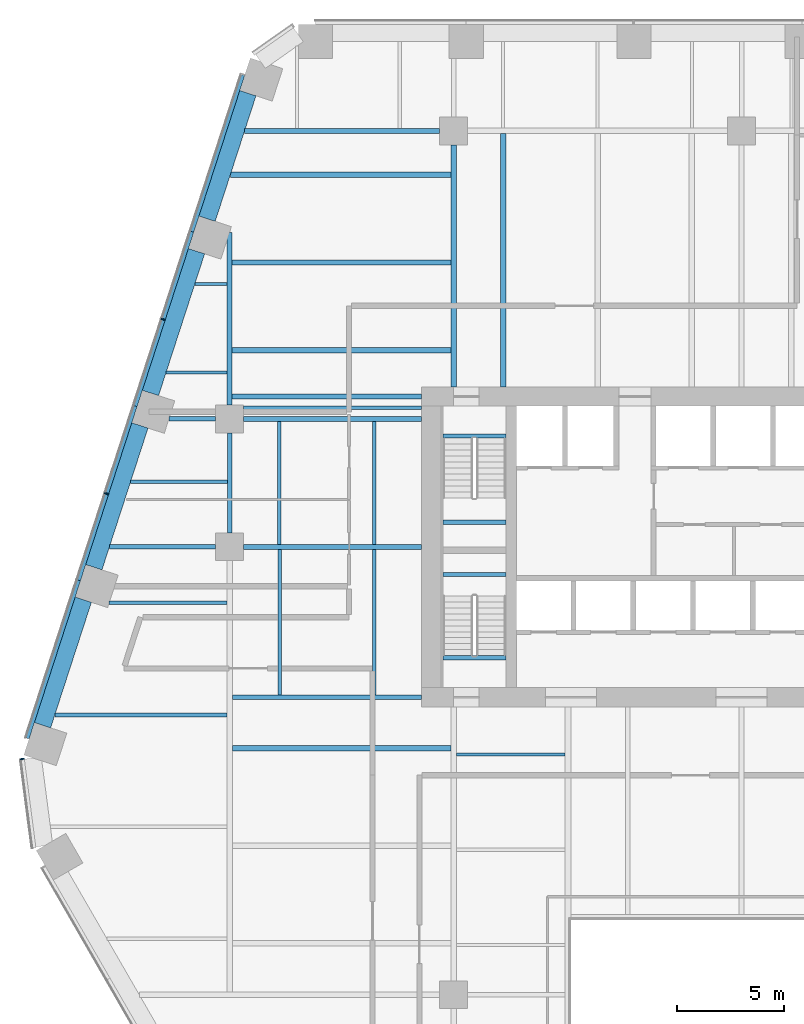
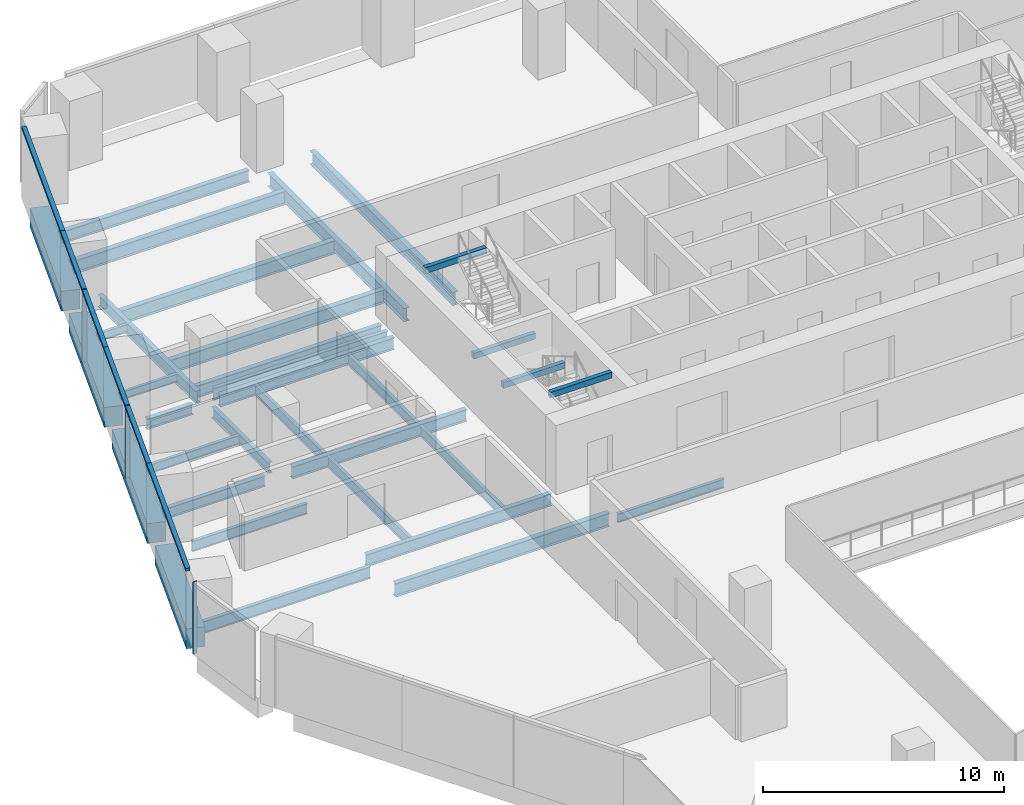
# One storey, part 8 of 19: 34 beams, 9 members, 2 elements without a shape of their own.
"""IFC4 building model written with IfcOpenShell, lengths in metres."""

from ifc_helpers import new_model, si_unit, direction, frame, origin, origin_2d, place, context, subcontext, project, spatial, rectangle, i_section, extrude, material, layer, layer_set, material_profile, profile_set, type_object, element, aggregate, save


model = new_model("IFC4")

# Units and contexts
model_context = context("Model", 3, precision=1e-05, world=origin(), true_north=direction((0.0, 1.0)))
body_context = subcontext(model_context, "Body", "Model", "MODEL_VIEW")
ifc_project = project(units=[si_unit("LENGTHUNIT", "METRE"), si_unit("AREAUNIT", "SQUARE_METRE"), si_unit("VOLUMEUNIT", "CUBIC_METRE"), si_unit("PLANEANGLEUNIT", "RADIAN"), si_unit("MASSUNIT", "GRAM", prefix="KILO")], contexts=[model_context])

# Site, building, storey
site_placement = place(None, origin())
site = spatial("IfcSite", under=ifc_project, at=site_placement, CompositionType="ELEMENT")
building_placement = place(site_placement, origin())
building = spatial("IfcBuilding", under=site, at=building_placement, Name="Isthmus Gate Tower", CompositionType="ELEMENT")
storey_placement = place(building_placement, frame((0.0, 0.0, 87.949951171875)))
storey = spatial("IfcBuildingStorey", under=building, at=storey_placement, Name="L20", CompositionType="ELEMENT", Elevation=87.949951171875)

# Curtain wall, members
ifc_material_1 = material(Name="Aluminium, pale champagne anodised", Category="aluminium")
ifc_layer = layer(ifc_material_1, 0.199951171875)
ifc_layer_set = layer_set([ifc_layer], Name="CW-1 UNITISED CURTAIN WALL 200 DEEP")
curtain_wall_type = type_object("IfcCurtainWallType", Name="CW-1 UNITISED CURTAIN WALL 200 DEEP", PredefinedType="NOTDEFINED", material=ifc_layer_set)
curtain_wall_1_placement = place(storey_placement, origin())
curtain_wall_1 = element("IfcCurtainWall", 1, at=curtain_wall_1_placement, inside=storey, type_object=curtain_wall_type, Name="CW-1 NW L20", PredefinedType="NOTDEFINED")
ifc_material_2 = material(Name="Aluminium, pale champagne anodised", Category="aluminium")
ifc_material_profile_1 = material_profile(ifc_material_2, rectangle(XDim=0.06005859375, YDim=0.199951171875, at=origin_2d()), Name="60x200")
ifc_profile_set_1 = profile_set([ifc_material_profile_1], Name="Aluminium, pale champagne anodised")
member_type_1 = type_object("IfcMemberType", Name="CW-1 MULLION 60 X 200", PredefinedType="MULLION", material=ifc_profile_set_1)
member_1_placement = place(storey_placement, frame((-27.11474609375, 18.163818359375, 0.0), z_axis=(0.0, 0.0, 1.0), x_axis=(-0.309016994375, -0.951056516295, 0.0)))
member_1 = element("IfcMember", 2, at=member_1_placement, type_object=member_type_1, Name="CW-1 mullion", PredefinedType="MULLION", context=body_context, shape_type="SweptSolid", body=[
    extrude(rectangle(XDim=0.06005859375, YDim=0.199951171875, at=origin_2d()), origin(), (0.0, 0.0, 1.0), 3.650146484375),
])
member_2_placement = place(storey_placement, frame((-29.76904296875, 9.994873046875, 0.0), z_axis=(0.0, 0.0, 1.0), x_axis=(-0.309016994375, -0.951056516295, 0.0)))
member_2 = element("IfcMember", 3, at=member_2_placement, type_object=member_type_1, Name="CW-1 mullion", PredefinedType="MULLION", context=body_context, shape_type="SweptSolid", body=[
    extrude(rectangle(XDim=0.06005859375, YDim=0.199951171875, at=origin_2d()), origin(), (0.0, 0.0, 1.0), 3.650146484375),
])

# Curtain wall, member
curtain_wall_2_placement = place(storey_placement, origin())
curtain_wall_2 = element("IfcCurtainWall", 4, at=curtain_wall_2_placement, inside=storey, type_object=curtain_wall_type, Name="CW-1 NW-SW L20", PredefinedType="NOTDEFINED")
member_3_placement = place(storey_placement, frame((-33.722900390625, -2.44482421875, 0.0), z_axis=(0.0, 0.0, 1.0), x_axis=(0.129164534, -0.991623175988, 0.0)))
member_3 = element("IfcMember", 5, at=member_3_placement, type_object=member_type_1, Name="CW-1 mullion", PredefinedType="MULLION", context=body_context, shape_type="SweptSolid", body=[
    extrude(rectangle(XDim=0.06005859375, YDim=0.199951171875, at=origin_2d()), origin(), (0.0, 0.0, 1.0), 3.650146484375),
])
aggregate(curtain_wall_2, [member_3])

# Member
ifc_material_3 = material(Name="Aluminium, pale champagne anodised", Category="aluminium")
ifc_material_profile_2 = material_profile(ifc_material_3, rectangle(XDim=0.199951171875, YDim=0.14990234375, at=origin_2d()), Name="200x150")
ifc_profile_set_2 = profile_set([ifc_material_profile_2], Name="Aluminium, pale champagne anodised")
member_type_2 = type_object("IfcMemberType", Name="CW-1 TRANSOM 200 X 150", PredefinedType="USERDEFINED", material=ifc_profile_set_2)
member_4_placement = place(storey_placement, frame((-23.389892578125, 29.6279296875, 3.574951171875), z_axis=(-0.309036077329, -0.951050315656, 0.0), x_axis=(0.951050315656, -0.309036077329, 0.0)))
member_4 = element("IfcMember", 6, at=member_4_placement, type_object=member_type_2, Name="CW-1 transom", ObjectType="TRANSOM", PredefinedType="USERDEFINED", context=body_context, shape_type="SweptSolid", body=[
    extrude(rectangle(XDim=0.199951171875, YDim=0.14990234375, at=origin_2d()), origin(), (0.0, 0.0, 1.0), 7.7294921875),
])

member_5_placement = place(storey_placement, frame((-25.778564453125, 22.27685546875, 3.574951171875), z_axis=(-0.309021801109, -0.951054954479, 0.0), x_axis=(0.951054954479, -0.309021801109, 0.0)))
member_5 = element("IfcMember", 7, at=member_5_placement, type_object=member_type_2, Name="CW-1 transom", ObjectType="TRANSOM", PredefinedType="USERDEFINED", context=body_context, shape_type="SweptSolid", body=[
    extrude(rectangle(XDim=0.199951171875, YDim=0.14990234375, at=origin_2d()), origin(), (0.0, 0.0, 1.0), 4.294677734375),
])

member_6_placement = place(storey_placement, frame((-27.1240234375, 18.13525390625, 3.574951171875), z_axis=(-0.309023496777, -0.951054403512, 0.0), x_axis=(0.951054403512, -0.309023496777, 0.0)))
member_6 = element("IfcMember", 8, at=member_6_placement, type_object=member_type_2, Name="CW-1 transom", ObjectType="TRANSOM", PredefinedType="USERDEFINED", context=body_context, shape_type="SweptSolid", body=[
    extrude(rectangle(XDim=0.199951171875, YDim=0.14990234375, at=origin_2d()), origin(), (0.0, 0.0, 1.0), 4.234619140625),
])

member_7_placement = place(storey_placement, frame((-28.4326171875, 14.10791015625, 3.574951171875), z_axis=(-0.309021801109, -0.951054954479, 0.0), x_axis=(0.951054954479, -0.309021801109, 0.0)))
member_7 = element("IfcMember", 9, at=member_7_placement, type_object=member_type_2, Name="CW-1 transom", ObjectType="TRANSOM", PredefinedType="USERDEFINED", context=body_context, shape_type="SweptSolid", body=[
    extrude(rectangle(XDim=0.199951171875, YDim=0.14990234375, at=origin_2d()), origin(), (0.0, 0.0, 1.0), 4.294677734375),
])

member_8_placement = place(storey_placement, frame((-29.7783203125, 9.96630859375, 3.574951171875), z_axis=(-0.309023496777, -0.951054403512, 0.0), x_axis=(0.951054403512, -0.309023496777, 0.0)))
member_8 = element("IfcMember", 10, at=member_8_placement, type_object=member_type_2, Name="CW-1 transom", ObjectType="TRANSOM", PredefinedType="USERDEFINED", context=body_context, shape_type="SweptSolid", body=[
    extrude(rectangle(XDim=0.199951171875, YDim=0.14990234375, at=origin_2d()), origin(), (0.0, 0.0, 1.0), 4.234619140625),
])

member_9_placement = place(storey_placement, frame((-31.0869140625, 5.93896484375, 3.574951171875), z_axis=(-0.309015907338, -0.951056869494, 0.0), x_axis=(0.951056869494, -0.309015907338, 0.0)))
member_9 = element("IfcMember", 11, at=member_9_placement, type_object=member_type_2, Name="CW-1 transom", ObjectType="TRANSOM", PredefinedType="USERDEFINED", context=body_context, shape_type="SweptSolid", body=[
    extrude(rectangle(XDim=0.199951171875, YDim=0.14990234375, at=origin_2d()), origin(), (0.0, 0.0, 1.0), 7.789306640625),
])

aggregate(curtain_wall_1, [member_4, member_5, member_1, member_6, member_7, member_2, member_8, member_9])

# Beams
ifc_material_4 = material(Name="Concrete f'c 70 MPa", Category="concrete")
ifc_material_profile_3 = material_profile(ifc_material_4, rectangle(XDim=0.800048828125, YDim=1.0, at=origin_2d()), Name="RC 800X1000")
ifc_profile_set_3 = profile_set([ifc_material_profile_3], Name="Concrete f'c 70 MPa")
beam_type_1 = type_object("IfcBeamType", Name="RC SPANDREL 800 X 1000", PredefinedType="SPANDREL", material=ifc_profile_set_3)
beam_1_placement = place(storey_placement, frame((-32.771240234375, -0.86279296875, -0.5), z_axis=(0.309012042366, 0.951058125286, 0.0), x_axis=(-0.951058125286, 0.309012042366, 0.0)))
element("IfcBeam", 12, at=beam_1_placement, inside=storey, type_object=beam_type_1, Name="str-spandrel-L20-18", PredefinedType="SPANDREL", context=body_context, shape_type="SweptSolid", body=[
    extrude(rectangle(XDim=0.800048828125, YDim=1.0, at=origin_2d()), origin(), (0.0, 0.0, 1.0), 6.189453125),
])
for number, where, z_axis, x_axis, name in (
    (13, (-30.3642578125, 6.54541015625, -0.5), (0.309029993465, 0.951052292537, 0.0), (-0.951052292537, 0.309029993465, 0.0), "str-spandrel-L20-19"),
    (14, (-27.7099609375, 14.71435546875, -0.5), (0.309029993465, 0.951052292537, 0.0), (-0.951052292537, 0.309029993465, 0.0), "str-spandrel-L20-20"),
):
    element("IfcBeam", number, at=place(storey_placement, frame(where, z_axis=z_axis, x_axis=x_axis)), inside=storey, type_object=beam_type_1, Name=name, PredefinedType="SPANDREL", context=body_context, shape_type="SweptSolid", body=[
        extrude(rectangle(XDim=0.800048828125, YDim=1.0, at=origin_2d()), origin(), (0.0, 0.0, 1.0), 6.9892578125),
    ])
beam_2_placement = place(storey_placement, frame((-25.0556640625, 22.88330078125, -0.5), z_axis=(0.309023635203, 0.951054358534, 0.0), x_axis=(-0.951054358534, 0.309023635203, 0.0)))
element("IfcBeam", 15, at=beam_2_placement, inside=storey, type_object=beam_type_1, Name="str-spandrel-L20-21", PredefinedType="SPANDREL", context=body_context, shape_type="SweptSolid", body=[
    extrude(rectangle(XDim=0.800048828125, YDim=1.0, at=origin_2d()), origin(), (0.0, 0.0, 1.0), 6.189208984375),
])
ifc_material_5 = material(Name="Concrete f'c 40 MPa", Category="concrete")
ifc_material_profile_4 = material_profile(ifc_material_5, rectangle(XDim=0.199951171875, YDim=0.300048828125, at=origin_2d()), Name="STAIR LANDING BEAM RC 200 X 300")
ifc_profile_set_4 = profile_set([ifc_material_profile_4], Name="Concrete f'c 40 MPa")
beam_type_2 = type_object("IfcBeamType", Name="STAIR LANDING BEAM RC 200 X 300", PredefinedType="BEAM", material=ifc_profile_set_4)
for number, where, z_axis, x_axis, name in (
    (16, (-14.0, 8.64990234375, 1.47509765625), (1.0, 0.0, 0.0), (0.0, 1.0, 0.0), "L20 ST1 landing beam 1"),
    (17, (-14.0, 12.7001953125, 3.35009765625), (1.0, 0.0, 0.0), (0.0, 1.0, 0.0), "L20 ST1 floor-edge seat beam"),
    (18, (-14.0, 6.199951171875, 1.47509765625), (1.0, 0.0, 0.0), (0.0, 1.0, 0.0), "L20 ST7 landing beam 1"),
    (19, (-14.0, 2.2998046875, 3.35009765625), (1.0, 0.0, 0.0), (0.0, 1.0, 0.0), "L20 ST7 floor-edge seat beam"),
):
    element("IfcBeam", number, at=place(storey_placement, frame(where, z_axis=z_axis, x_axis=x_axis)), inside=storey, type_object=beam_type_2, Name=name, PredefinedType="BEAM", context=body_context, shape_type="SweptSolid", body=[
        extrude(rectangle(XDim=0.199951171875, YDim=0.300048828125, at=origin_2d()), origin(), (0.0, 0.0, 1.0), 2.949951171875),
    ])
ifc_material_6 = material(Name="Structural steel ASTM A992 Gr 50", Category="steel")
ifc_material_profile_5 = material_profile(ifc_material_6, i_section(OverallWidth=0.1396484375, OverallDepth=0.4033203125, WebThickness=0.00634765625, FlangeThickness=0.010986328125, at=origin_2d()), Name="W16X31")
ifc_profile_set_5 = profile_set([ifc_material_profile_5], Name="Structural steel ASTM A992 Gr 50")
beam_type_3 = type_object("IfcBeamType", Name="STEEL FLOOR BEAM W16X31", PredefinedType="JOIST", material=ifc_profile_set_5)
beam_3_placement = place(storey_placement, frame((-26.976318359375, 15.677978515625, -0.3515625), z_axis=(1.0, 0.0, 0.0), x_axis=(0.0, 1.0, 0.0)))
element("IfcBeam", 20, at=beam_3_placement, inside=storey, type_object=beam_type_3, Name="str-beam-L20-02-00", PredefinedType="JOIST", context=body_context, shape_type="SweptSolid", body=[
    extrude(i_section(OverallWidth=0.1396484375, OverallDepth=0.4033203125, WebThickness=0.00634765625, FlangeThickness=0.010986328125, at=origin_2d()), origin(), (0.0, 0.0, 1.0), 2.862060546875),
])
beam_4_placement = place(storey_placement, frame((-25.629150390625, 19.82421875, -0.3515625), z_axis=(1.0, 0.0, 0.0), x_axis=(0.0, 1.0, 0.0)))
element("IfcBeam", 21, at=beam_4_placement, inside=storey, type_object=beam_type_3, Name="str-beam-L20-02-01", PredefinedType="JOIST", context=body_context, shape_type="SweptSolid", body=[
    extrude(i_section(OverallWidth=0.1396484375, OverallDepth=0.4033203125, WebThickness=0.00634765625, FlangeThickness=0.010986328125, at=origin_2d()), origin(), (0.0, 0.0, 1.0), 1.514892578125),
])
ifc_material_7 = material(Name="Structural steel ASTM A992 Gr 50", Category="steel")
ifc_material_profile_6 = material_profile(ifc_material_7, i_section(OverallWidth=0.15234375, OverallDepth=0.45068359375, WebThickness=0.0078125, FlangeThickness=0.010986328125, at=origin_2d()), Name="W18X35")
ifc_profile_set_6 = profile_set([ifc_material_profile_6], Name="Structural steel ASTM A992 Gr 50")
beam_type_4 = type_object("IfcBeamType", Name="STEEL FLOOR BEAM W18X35", PredefinedType="JOIST", material=ifc_profile_set_6)
beam_5_placement = place(storey_placement, frame((-28.6416015625, 10.552490234375, -0.375244140625), z_axis=(1.0, 0.0, 0.0), x_axis=(0.0, 1.0, 0.0)))
element("IfcBeam", 22, at=beam_5_placement, inside=storey, type_object=beam_type_4, Name="str-beam-L20-01-00", PredefinedType="JOIST", context=body_context, shape_type="SweptSolid", body=[
    extrude(i_section(OverallWidth=0.15234375, OverallDepth=0.45068359375, WebThickness=0.0078125, FlangeThickness=0.010986328125, at=origin_2d()), origin(), (0.0, 0.0, 1.0), 4.536865234375),
])
beam_6_placement = place(storey_placement, frame((-13.3681640625, -2.232421875, -0.375244140625), z_axis=(1.0, 0.0, 0.0), x_axis=(0.0, 1.0, 0.0)))
element("IfcBeam", 23, at=beam_6_placement, inside=storey, type_object=beam_type_4, Name="str-beam-L20-12-02", PredefinedType="JOIST", context=body_context, shape_type="SweptSolid", body=[
    extrude(i_section(OverallWidth=0.15234375, OverallDepth=0.45068359375, WebThickness=0.0078125, FlangeThickness=0.010986328125, at=origin_2d()), origin(), (0.0, 0.0, 1.0), 5.1015625),
])
ifc_material_8 = material(Name="Structural steel ASTM A992 Gr 50", Category="steel")
ifc_material_profile_7 = material_profile(ifc_material_8, i_section(OverallWidth=0.1650390625, OverallDepth=0.52392578125, WebThickness=0.009521484375, FlangeThickness=0.010986328125, at=origin_2d()), Name="W21X44")
ifc_profile_set_7 = profile_set([ifc_material_profile_7], Name="Structural steel ASTM A992 Gr 50")
beam_type_5 = type_object("IfcBeamType", Name="STEEL FLOOR BEAM W21X44", PredefinedType="JOIST", material=ifc_profile_set_7)
beam_7_placement = place(storey_placement, frame((-29.645263671875, 4.875, -0.411865234375), z_axis=(1.0, 0.0, 0.0), x_axis=(0.0, 1.0, 0.0)))
element("IfcBeam", 24, at=beam_7_placement, inside=storey, type_object=beam_type_5, Name="str-beam-L20-00-03", PredefinedType="JOIST", context=body_context, shape_type="SweptSolid", body=[
    extrude(i_section(OverallWidth=0.1650390625, OverallDepth=0.52392578125, WebThickness=0.009521484375, FlangeThickness=0.010986328125, at=origin_2d()), origin(), (0.0, 0.0, 1.0), 5.511962890625),
])
for number, where, z_axis, x_axis, name in (
    (25, (-21.64990234375, 0.564208984375, -0.411865234375), (0.0, 1.0, 0.0), (-1.0, 0.0, 0.0), "str-beam-L20-03-00"),
    (26, (-17.216552734375, 0.564208984375, -0.411865234375), (0.0, 1.0, 0.0), (-1.0, 0.0, 0.0), "str-beam-L20-03-01"),
):
    element("IfcBeam", number, at=place(storey_placement, frame(where, z_axis=z_axis, x_axis=x_axis)), inside=storey, type_object=beam_type_5, Name=name, PredefinedType="JOIST", context=body_context, shape_type="SweptSolid", body=[
        extrude(i_section(OverallWidth=0.1650390625, OverallDepth=0.52392578125, WebThickness=0.009521484375, FlangeThickness=0.010986328125, at=origin_2d()), origin(), (0.0, 0.0, 1.0), 6.821533203125),
    ])
for number, where, z_axis, x_axis, name in (
    (27, (-21.67138671875, 7.6142578125, -0.411865234375), (0.0, 1.0, 0.0), (-1.0, 0.0, 0.0), "str-beam-L20-04-00"),
    (28, (-17.223876953125, 7.6142578125, -0.411865234375), (0.0, 1.0, 0.0), (-1.0, 0.0, 0.0), "str-beam-L20-04-01"),
):
    element("IfcBeam", number, at=place(storey_placement, frame(where, z_axis=z_axis, x_axis=x_axis)), inside=storey, type_object=beam_type_5, Name=name, PredefinedType="JOIST", context=body_context, shape_type="SweptSolid", body=[
        extrude(i_section(OverallWidth=0.1650390625, OverallDepth=0.52392578125, WebThickness=0.009521484375, FlangeThickness=0.010986328125, at=origin_2d()), origin(), (0.0, 0.0, 1.0), 5.771484375),
    ])
ifc_material_9 = material(Name="Structural steel ASTM A992 Gr 50", Category="steel")
ifc_material_profile_8 = material_profile(ifc_material_9, i_section(OverallWidth=0.177734375, OverallDepth=0.60009765625, WebThickness=0.009521484375, FlangeThickness=0.0126953125, at=origin_2d()), Name="W24X55")
ifc_profile_set_8 = profile_set([ifc_material_profile_8], Name="Structural steel ASTM A992 Gr 50")
beam_type_6 = type_object("IfcBeamType", Name="STEEL FLOOR BEAM W24X55", PredefinedType="JOIST", material=ifc_profile_set_8)
beam_8_placement = place(storey_placement, frame((-32.192138671875, -0.375, -0.449951171875), z_axis=(1.0, 0.0, 0.0), x_axis=(0.0, 1.0, 0.0)))
element("IfcBeam", 29, at=beam_8_placement, inside=storey, type_object=beam_type_6, Name="str-beam-L20-00-02", PredefinedType="JOIST", context=body_context, shape_type="SweptSolid", body=[
    extrude(i_section(OverallWidth=0.177734375, OverallDepth=0.60009765625, WebThickness=0.009521484375, FlangeThickness=0.0126953125, at=origin_2d()), origin(), (0.0, 0.0, 1.0), 8.058837890625),
])
beam_9_placement = place(storey_placement, frame((-23.35009765625, 14.02490234375, -0.449951171875), z_axis=(1.0, 0.0, 0.0), x_axis=(0.0, 1.0, 0.0)))
element("IfcBeam", 30, at=beam_9_placement, inside=storey, type_object=beam_type_6, Name="str-beam-L20-05-00", PredefinedType="JOIST", context=body_context, shape_type="SweptSolid", body=[
    extrude(i_section(OverallWidth=0.177734375, OverallDepth=0.60009765625, WebThickness=0.009521484375, FlangeThickness=0.0126953125, at=origin_2d()), origin(), (0.0, 0.0, 1.0), 8.35009765625),
])
ifc_material_10 = material(Name="Structural steel ASTM A992 Gr 50", Category="steel")
ifc_material_profile_9 = material_profile(ifc_material_10, i_section(OverallWidth=0.25390625, OverallDepth=0.679443359375, WebThickness=0.010986328125, FlangeThickness=0.015869140625, at=origin_2d()), Name="W27X84")
ifc_profile_set_9 = profile_set([ifc_material_profile_9], Name="Structural steel ASTM A992 Gr 50")
beam_type_7 = type_object("IfcBeamType", Name="STEEL FLOOR BEAM W27X84", PredefinedType="JOIST", material=ifc_profile_set_9)
for number, where, z_axis, x_axis, name in (
    (31, (-23.8857421875, 16.72021484375, -0.48974609375), (1.0, 0.0, 0.0), (0.0, 1.0, 0.0), "str-beam-L20-07-00"),
    (32, (-23.8857421875, 20.83203125, -0.48974609375), (1.0, 0.0, 0.0), (0.0, 1.0, 0.0), "str-beam-L20-07-01"),
):
    element("IfcBeam", number, at=place(storey_placement, frame(where, z_axis=z_axis, x_axis=x_axis)), inside=storey, type_object=beam_type_7, Name=name, PredefinedType="JOIST", context=body_context, shape_type="SweptSolid", body=[
        extrude(i_section(OverallWidth=0.25390625, OverallDepth=0.679443359375, WebThickness=0.010986328125, FlangeThickness=0.015869140625, at=origin_2d()), origin(), (0.0, 0.0, 1.0), 10.2587890625),
    ])
beam_10_placement = place(storey_placement, frame((-23.965576171875, 24.944091796875, -0.48974609375), z_axis=(1.0, 0.0, 0.0), x_axis=(0.0, 1.0, 0.0)))
element("IfcBeam", 33, at=beam_10_placement, inside=storey, type_object=beam_type_7, Name="str-beam-L20-07-02", PredefinedType="JOIST", context=body_context, shape_type="SweptSolid", body=[
    extrude(i_section(OverallWidth=0.25390625, OverallDepth=0.679443359375, WebThickness=0.010986328125, FlangeThickness=0.015869140625, at=origin_2d()), origin(), (0.0, 0.0, 1.0), 10.338623046875),
])
beam_11_placement = place(storey_placement, frame((-23.86669921875, -1.947998046875, -0.48974609375), z_axis=(1.0, 0.0, 0.0), x_axis=(0.0, 1.0, 0.0)))
element("IfcBeam", 34, at=beam_11_placement, inside=storey, type_object=beam_type_7, Name="str-beam-L20-08-02", PredefinedType="JOIST", context=body_context, shape_type="SweptSolid", body=[
    extrude(i_section(OverallWidth=0.25390625, OverallDepth=0.679443359375, WebThickness=0.010986328125, FlangeThickness=0.015869140625, at=origin_2d()), origin(), (0.0, 0.0, 1.0), 10.23486328125),
])
beam_12_placement = place(storey_placement, frame((-11.165283203125, 15.0, -0.48974609375), z_axis=(0.0, 1.0, 0.0), x_axis=(-1.0, 0.0, 0.0)))
element("IfcBeam", 35, at=beam_12_placement, inside=storey, type_object=beam_type_7, Name="str-beam-L20-14-00", PredefinedType="JOIST", context=body_context, shape_type="SweptSolid", body=[
    extrude(i_section(OverallWidth=0.25390625, OverallDepth=0.679443359375, WebThickness=0.010986328125, FlangeThickness=0.015869140625, at=origin_2d()), origin(), (0.0, 0.0, 1.0), 11.8681640625),
])
ifc_material_11 = material(Name="Structural steel ASTM A992 Gr 50", Category="steel")
ifc_material_profile_10 = material_profile(ifc_material_11, i_section(OverallWidth=0.20947265625, OverallDepth=0.533447265625, WebThickness=0.009521484375, FlangeThickness=0.015869140625, at=origin_2d()), Name="W21X62")
ifc_profile_set_10 = profile_set([ifc_material_profile_10], Name="Structural steel ASTM A992 Gr 50")
beam_type_8 = type_object("IfcBeamType", Name="STEEL GIRDER W21X62", PredefinedType="BEAM", material=ifc_profile_set_10)
beam_13_placement = place(storey_placement, frame((-29.633544921875, 7.5, -0.416748046875), z_axis=(1.0, 0.0, 0.0), x_axis=(0.0, 1.0, 0.0)))
element("IfcBeam", 36, at=beam_13_placement, inside=storey, type_object=beam_type_8, Name="str-girder-L20-09", PredefinedType="BEAM", context=body_context, shape_type="SweptSolid", body=[
    extrude(i_section(OverallWidth=0.20947265625, OverallDepth=0.533447265625, WebThickness=0.009521484375, FlangeThickness=0.015869140625, at=origin_2d()), origin(), (0.0, 0.0, 1.0), 4.983642578125),
])
beam_14_placement = place(storey_placement, frame((-26.8427734375, 13.5, -0.416748046875), z_axis=(1.0, 0.0, 0.0), x_axis=(0.0, 1.0, 0.0)))
element("IfcBeam", 37, at=beam_14_placement, inside=storey, type_object=beam_type_8, Name="str-girder-L20-13", PredefinedType="BEAM", context=body_context, shape_type="SweptSolid", body=[
    extrude(i_section(OverallWidth=0.20947265625, OverallDepth=0.533447265625, WebThickness=0.009521484375, FlangeThickness=0.015869140625, at=origin_2d()), origin(), (0.0, 0.0, 1.0), 2.19287109375),
])
beam_15_placement = place(storey_placement, frame((-24.0, 8.14990234375, -0.416748046875), z_axis=(0.0, 1.0, 0.0), x_axis=(-1.0, 0.0, 0.0)))
element("IfcBeam", 38, at=beam_15_placement, inside=storey, type_object=beam_type_8, Name="str-girder-L20-22", PredefinedType="BEAM", context=body_context, shape_type="SweptSolid", body=[
    extrude(i_section(OverallWidth=0.20947265625, OverallDepth=0.533447265625, WebThickness=0.009521484375, FlangeThickness=0.015869140625, at=origin_2d()), origin(), (0.0, 0.0, 1.0), 4.7001953125),
])
ifc_material_12 = material(Name="Structural steel ASTM A992 Gr 50", Category="steel")
ifc_material_profile_11 = material_profile(ifc_material_12, i_section(OverallWidth=0.228515625, OverallDepth=0.6064453125, WebThickness=0.010986328125, FlangeThickness=0.017578125, at=origin_2d()), Name="W24X76")
ifc_profile_set_11 = profile_set([ifc_material_profile_11], Name="Structural steel ASTM A992 Gr 50")
beam_type_9 = type_object("IfcBeamType", Name="STEEL GIRDER W24X76", PredefinedType="BEAM", material=ifc_profile_set_11)
for number, where, z_axis, x_axis, name in (
    (39, (-23.35009765625, 7.5, -0.453125), (1.0, 0.0, 0.0), (0.0, 1.0, 0.0), "str-girder-L20-10"),
    (40, (-23.35009765625, 13.5, -0.453125), (1.0, 0.0, 0.0), (0.0, 1.0, 0.0), "str-girder-L20-14"),
):
    element("IfcBeam", number, at=place(storey_placement, frame(where, z_axis=z_axis, x_axis=x_axis)), inside=storey, type_object=beam_type_9, Name=name, PredefinedType="BEAM", context=body_context, shape_type="SweptSolid", body=[
        extrude(i_section(OverallWidth=0.228515625, OverallDepth=0.6064453125, WebThickness=0.010986328125, FlangeThickness=0.017578125, at=origin_2d()), origin(), (0.0, 0.0, 1.0), 8.35009765625),
    ])
beam_16_placement = place(storey_placement, frame((-23.297607421875, 27.0, -0.453125), z_axis=(1.0, 0.0, 0.0), x_axis=(0.0, 1.0, 0.0)))
element("IfcBeam", 41, at=beam_16_placement, inside=storey, type_object=beam_type_9, Name="str-girder-L20-17", PredefinedType="BEAM", context=body_context, shape_type="SweptSolid", body=[
    extrude(i_section(OverallWidth=0.228515625, OverallDepth=0.6064453125, WebThickness=0.010986328125, FlangeThickness=0.017578125, at=origin_2d()), origin(), (0.0, 0.0, 1.0), 9.147705078125),
])
beam_17_placement = place(storey_placement, frame((-24.0, 14.14990234375, -0.453125), z_axis=(0.0, 1.0, 0.0), x_axis=(-1.0, 0.0, 0.0)))
element("IfcBeam", 42, at=beam_17_placement, inside=storey, type_object=beam_type_9, Name="str-girder-L20-23", PredefinedType="BEAM", context=body_context, shape_type="SweptSolid", body=[
    extrude(i_section(OverallWidth=0.228515625, OverallDepth=0.6064453125, WebThickness=0.010986328125, FlangeThickness=0.017578125, at=origin_2d()), origin(), (0.0, 0.0, 1.0), 8.099365234375),
])
beam_18_placement = place(storey_placement, frame((-15.0, 0.449951171875, -0.453125), z_axis=(-1.0, 0.0, 0.0), x_axis=(0.0, -1.0, 0.0)))
element("IfcBeam", 43, at=beam_18_placement, inside=storey, type_object=beam_type_9, Name="str-girder-L20-39", PredefinedType="BEAM", context=body_context, shape_type="SweptSolid", body=[
    extrude(i_section(OverallWidth=0.228515625, OverallDepth=0.6064453125, WebThickness=0.010986328125, FlangeThickness=0.017578125, at=origin_2d()), origin(), (0.0, 0.0, 1.0), 8.86669921875),
])
beam_19_placement = place(storey_placement, frame((-15.0, 14.550048828125, -0.453125), z_axis=(-1.0, 0.0, 0.0), x_axis=(0.0, -1.0, 0.0)))
element("IfcBeam", 44, at=beam_19_placement, inside=storey, type_object=beam_type_9, Name="str-girder-L20-41", PredefinedType="BEAM", context=body_context, shape_type="SweptSolid", body=[
    extrude(i_section(OverallWidth=0.228515625, OverallDepth=0.6064453125, WebThickness=0.010986328125, FlangeThickness=0.017578125, at=origin_2d()), origin(), (0.0, 0.0, 1.0), 8.8857421875),
])
ifc_material_13 = material(Name="Structural steel ASTM A992 Gr 50", Category="steel")
ifc_material_profile_12 = material_profile(ifc_material_13, i_section(OverallWidth=0.25390625, OverallDepth=0.679443359375, WebThickness=0.010986328125, FlangeThickness=0.015869140625, at=origin_2d()), Name="W27X84")
ifc_profile_set_12 = profile_set([ifc_material_profile_12], Name="Structural steel ASTM A992 Gr 50")
beam_type_10 = type_object("IfcBeamType", Name="STEEL GIRDER W27X84", PredefinedType="BEAM", material=ifc_profile_set_12)
beam_20_placement = place(storey_placement, frame((-13.5, 15.0, -0.48974609375), z_axis=(0.0, 1.0, 0.0), x_axis=(-1.0, 0.0, 0.0)))
element("IfcBeam", 45, at=beam_20_placement, inside=storey, type_object=beam_type_10, Name="str-girder-L20-27", PredefinedType="BEAM", context=body_context, shape_type="SweptSolid", body=[
    extrude(i_section(OverallWidth=0.25390625, OverallDepth=0.679443359375, WebThickness=0.010986328125, FlangeThickness=0.015869140625, at=origin_2d()), origin(), (0.0, 0.0, 1.0), 11.35009765625),
])

save(model, "model.ifc")
